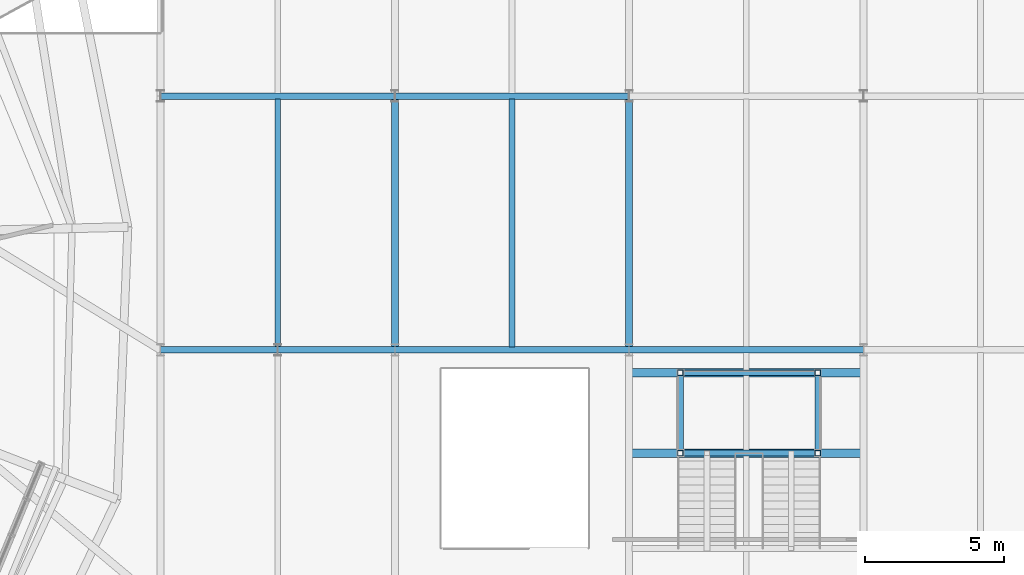
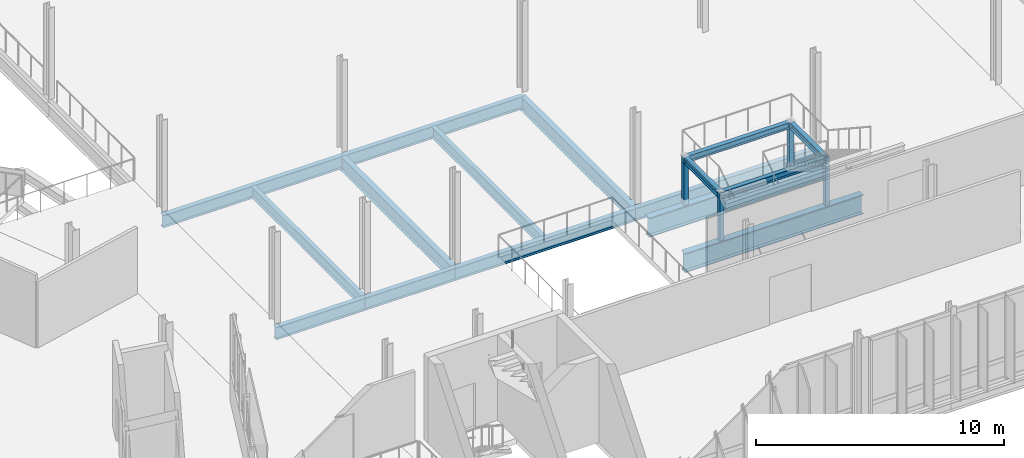
# One storey, part 60 of 139: 16 beams, 4 members.
"""IFC4 building model written with IfcOpenShell, lengths in metres."""

from ifc_helpers import new_model, si_unit, derived_unit, direction, frame, origin, origin_2d, place, context, subcontext, project, spatial, hollow_rectangle, i_section, extrude, material, material_profile, profile_set, type_object, element, save


model = new_model("IFC4")

# Units and contexts
model_context = context("Model", 3, precision=1e-05, world=origin(), true_north=direction((0.0, 1.0)))
body_context = subcontext(model_context, "Body", "Model", "MODEL_VIEW")
ifc_project = project(units=[si_unit("LENGTHUNIT", "METRE"), si_unit("AREAUNIT", "SQUARE_METRE"), si_unit("VOLUMEUNIT", "CUBIC_METRE"), si_unit("PLANEANGLEUNIT", "RADIAN"), si_unit("MASSUNIT", "GRAM", prefix="KILO"), derived_unit("THERMALTRANSMITTANCEUNIT", [(si_unit("MASSUNIT", "GRAM", prefix="KILO"), 1), (si_unit("TIMEUNIT", "SECOND"), -3), (si_unit("THERMODYNAMICTEMPERATUREUNIT", "KELVIN"), -1)])], contexts=[model_context])

# Site, building, storey
site_placement = place(None, origin())
site = spatial("IfcSite", under=ifc_project, at=site_placement, CompositionType="ELEMENT")
building_placement = place(site_placement, origin())
building = spatial("IfcBuilding", under=site, at=building_placement, Name="Makaiwela Harbour Ferry Terminal", CompositionType="ELEMENT")
storey_placement = place(building_placement, frame((0.0, 0.0, 5.10009765625)))
storey = spatial("IfcBuildingStorey", under=building, at=storey_placement, Name="L01", CompositionType="ELEMENT", Elevation=5.10009765625)

# Beams
ifc_material_1 = material(Name="Steel ASTM A992 Grade 50", Category="steel")
ifc_material_profile_1 = material_profile(ifc_material_1, i_section(OverallWidth=0.2099609375, OverallDepth=0.537109375, WebThickness=0.010986328125, FlangeThickness=0.017333984375, at=origin_2d()), Name="W21X68")
ifc_profile_set_1 = profile_set([ifc_material_profile_1], Name="Steel ASTM A992 Grade 50")
beam_type_1 = type_object("IfcBeamType", Name="STR-BM-W21X68", PredefinedType="BEAM", material=ifc_profile_set_1)
for number, where, z_axis, x_axis, name in (
    (1, (67.199951171875, 67.696533203125, -0.548583984375), (0.0, 1.0, 0.0), (-1.0, 0.0, 0.0), "Secondary floor beam 1082"),
    (2, (75.60009765625, 67.696533203125, -0.548583984375), (0.0, 1.0, 0.0), (-1.0, 0.0, 0.0), "Secondary floor beam 1090"),
):
    element("IfcBeam", number, at=place(storey_placement, frame(where, z_axis=z_axis, x_axis=x_axis)), inside=storey, type_object=beam_type_1, Name=name, PredefinedType="BEAM", context=body_context, shape_type="SweptSolid", body=[
        extrude(i_section(OverallWidth=0.2099609375, OverallDepth=0.537109375, WebThickness=0.010986328125, FlangeThickness=0.017333984375, at=origin_2d()), origin(), (0.0, 0.0, 1.0), 8.906982421875),
    ])
ifc_material_profile_2 = material_profile(ifc_material_1, i_section(OverallWidth=0.22900390625, OverallDepth=0.612060546875, WebThickness=0.011962890625, FlangeThickness=0.01953125, at=origin_2d()), Name="W24X84")
ifc_profile_set_2 = profile_set([ifc_material_profile_2], Name="Steel ASTM A992 Grade 50")
beam_type_2 = type_object("IfcBeamType", Name="STR-GRD-W24X84", PredefinedType="USERDEFINED", material=ifc_profile_set_2)
for number, where, z_axis, x_axis, name in (
    (3, (63.0, 67.60009765625, -0.586181640625), (1.0, 0.0, 0.0), (0.0, 1.0, 0.0), "Primary X girder 848"),
    (4, (67.199951171875, 67.60009765625, -0.586181640625), (1.0, 0.0, 0.0), (0.0, 1.0, 0.0), "Primary X girder 849"),
):
    element("IfcBeam", number, at=place(storey_placement, frame(where, z_axis=z_axis, x_axis=x_axis)), inside=storey, type_object=beam_type_2, Name=name, ObjectType="GIRDER", PredefinedType="USERDEFINED", context=body_context, shape_type="SweptSolid", body=[
        extrude(i_section(OverallWidth=0.22900390625, OverallDepth=0.612060546875, WebThickness=0.011962890625, FlangeThickness=0.01953125, at=origin_2d()), origin(), (0.0, 0.0, 1.0), 4.199951171875),
    ])
beam_1_placement = place(storey_placement, frame((71.39990234375, 67.60009765625, -0.586181640625), z_axis=(1.0, 0.0, 0.0), x_axis=(0.0, 1.0, 0.0)))
element("IfcBeam", 5, at=beam_1_placement, inside=storey, type_object=beam_type_2, Name="Primary X girder 850", ObjectType="GIRDER", PredefinedType="USERDEFINED", context=body_context, shape_type="SweptSolid", body=[
    extrude(i_section(OverallWidth=0.22900390625, OverallDepth=0.612060546875, WebThickness=0.011962890625, FlangeThickness=0.01953125, at=origin_2d()), origin(), (0.0, 0.0, 1.0), 8.400146484375),
])
for number, where, z_axis, x_axis, name in (
    (6, (79.800048828125, 67.60009765625, -0.586181640625), (1.0, 0.0, 0.0), (0.0, 1.0, 0.0), "Primary X girder 851"),
    (7, (63.0, 76.699951171875, -0.586181640625), (1.0, 0.0, 0.0), (0.0, 1.0, 0.0), "Primary X girder 867"),
):
    element("IfcBeam", number, at=place(storey_placement, frame(where, z_axis=z_axis, x_axis=x_axis)), inside=storey, type_object=beam_type_2, Name=name, ObjectType="GIRDER", PredefinedType="USERDEFINED", context=body_context, shape_type="SweptSolid", body=[
        extrude(i_section(OverallWidth=0.22900390625, OverallDepth=0.612060546875, WebThickness=0.011962890625, FlangeThickness=0.01953125, at=origin_2d()), origin(), (0.0, 0.0, 1.0), 8.39990234375),
    ])
beam_2_placement = place(storey_placement, frame((71.39990234375, 76.699951171875, -0.586181640625), z_axis=(1.0, 0.0, 0.0), x_axis=(0.0, 1.0, 0.0)))
element("IfcBeam", 8, at=beam_2_placement, inside=storey, type_object=beam_type_2, Name="Primary X girder 868", ObjectType="GIRDER", PredefinedType="USERDEFINED", context=body_context, shape_type="SweptSolid", body=[
    extrude(i_section(OverallWidth=0.22900390625, OverallDepth=0.612060546875, WebThickness=0.011962890625, FlangeThickness=0.01953125, at=origin_2d()), origin(), (0.0, 0.0, 1.0), 8.400146484375),
])
ifc_material_profile_3 = material_profile(ifc_material_1, i_section(OverallWidth=0.256103515625, OverallDepth=0.693115234375, WebThickness=0.014404296875, FlangeThickness=0.023681640625, at=origin_2d()), Name="W27X114")
ifc_profile_set_3 = profile_set([ifc_material_profile_3], Name="Steel ASTM A992 Grade 50")
beam_type_3 = type_object("IfcBeamType", Name="STR-GRD-W27X114", PredefinedType="USERDEFINED", material=ifc_profile_set_3)
for number, where, z_axis, x_axis, name in (
    (9, (71.39990234375, 67.60009765625, -0.626708984375), (0.0, 1.0, 0.0), (-1.0, 0.0, 0.0), "Primary Y girder 942"),
    (10, (79.800048828125, 67.60009765625, -0.626708984375), (0.0, 1.0, 0.0), (-1.0, 0.0, 0.0), "Primary Y girder 952"),
):
    element("IfcBeam", number, at=place(storey_placement, frame(where, z_axis=z_axis, x_axis=x_axis)), inside=storey, type_object=beam_type_3, Name=name, ObjectType="GIRDER", PredefinedType="USERDEFINED", context=body_context, shape_type="SweptSolid", body=[
        extrude(i_section(OverallWidth=0.256103515625, OverallDepth=0.693115234375, WebThickness=0.014404296875, FlangeThickness=0.023681640625, at=origin_2d()), origin(), (0.0, 0.0, 1.0), 9.099853515625),
    ])
ifc_material_profile_4 = material_profile(ifc_material_1, i_section(OverallWidth=0.31005859375, OverallDepth=0.949951171875, WebThickness=0.0244140625, FlangeThickness=0.0439453125, at=origin_2d()), Name="W36X256")
ifc_profile_set_4 = profile_set([ifc_material_profile_4], Name="Steel ASTM A992 Grade 50")
beam_type_4 = type_object("IfcBeamType", Name="STR-GRD-W36X256", PredefinedType="USERDEFINED", material=ifc_profile_set_4)
for number, where, z_axis, x_axis, name in (
    (11, (79.89501953125, 63.89990234375, -0.755126953125), (1.0, 0.0, 0.0), (0.0, 1.0, 0.0), "Stair Transfer Girder ST-09-L01-1"),
    (12, (79.89501953125, 66.780029296875, -0.755126953125), (1.0, 0.0, 0.0), (0.0, 1.0, 0.0), "Stair Transfer Girder ST-09-L01-2"),
):
    element("IfcBeam", number, at=place(storey_placement, frame(where, z_axis=z_axis, x_axis=x_axis)), inside=storey, type_object=beam_type_4, Name=name, ObjectType="GIRDER", PredefinedType="USERDEFINED", context=body_context, shape_type="SweptSolid", body=[
        extrude(i_section(OverallWidth=0.31005859375, OverallDepth=0.949951171875, WebThickness=0.0244140625, FlangeThickness=0.0439453125, at=origin_2d()), origin(), (0.0, 0.0, 1.0), 8.304931640625),
    ])
ifc_material_profile_5 = material_profile(ifc_material_1, i_section(OverallWidth=0.205078125, OverallDepth=0.31005859375, WebThickness=0.009521484375, FlangeThickness=0.016357421875, at=origin_2d()), Name="W12X50")
ifc_profile_set_5 = profile_set([ifc_material_profile_5], Name="Steel ASTM A992 Grade 50")
beam_type_5 = type_object("IfcBeamType", Name="STR-LNT-W12X50", PredefinedType="LINTEL", material=ifc_profile_set_5)
for number, where, z_axis, x_axis, name in (
    (13, (81.639892578125, 63.89990234375, 1.94482421875), (1.0, 0.0, 0.0), (0.0, 1.0, 0.0), "Stair Landing Beam ST-09-L01-1"),
    (14, (81.639892578125, 66.780029296875, 1.94482421875), (1.0, 0.0, 0.0), (0.0, 1.0, 0.0), "Stair Landing Beam ST-09-L01-2"),
):
    element("IfcBeam", number, at=place(storey_placement, frame(where, z_axis=z_axis, x_axis=x_axis)), inside=storey, type_object=beam_type_5, Name=name, PredefinedType="LINTEL", context=body_context, shape_type="SweptSolid", body=[
        extrude(i_section(OverallWidth=0.205078125, OverallDepth=0.31005859375, WebThickness=0.009521484375, FlangeThickness=0.016357421875, at=origin_2d()), origin(), (0.0, 0.0, 1.0), 4.920166015625),
    ])
for number, where, z_axis, x_axis, name in (
    (15, (81.639892578125, 63.89990234375, 1.94482421875), (0.0, 1.0, 0.0), (-1.0, 0.0, 0.0), "Stair Landing Side Beam ST-09-L01-L"),
    (16, (86.56005859375, 63.89990234375, 1.94482421875), (0.0, 1.0, 0.0), (-1.0, 0.0, 0.0), "Stair Landing Side Beam ST-09-L01-R"),
):
    element("IfcBeam", number, at=place(storey_placement, frame(where, z_axis=z_axis, x_axis=x_axis)), inside=storey, type_object=beam_type_5, Name=name, PredefinedType="LINTEL", context=body_context, shape_type="SweptSolid", body=[
        extrude(i_section(OverallWidth=0.205078125, OverallDepth=0.31005859375, WebThickness=0.009521484375, FlangeThickness=0.016357421875, at=origin_2d()), origin(), (0.0, 0.0, 1.0), 2.880126953125),
    ])

# Members
ifc_material_2 = material(Name="Steel ASTM A500 Grade C", Category="steel")
ifc_material_profile_6 = material_profile(ifc_material_2, hollow_rectangle(XDim=0.202880859375, YDim=0.202880859375, WallThickness=0.01171875, at=origin_2d()), Name="HSS8X8X1/2")
ifc_profile_set_6 = profile_set([ifc_material_profile_6], Name="Steel ASTM A500 Grade C")
member_type = type_object("IfcMemberType", Name="STR-PST-HSS8", PredefinedType="POST", material=ifc_profile_set_6)
for number, where, z_axis, x_axis, name in (
    (17, (81.639892578125, 63.89990234375, -0.280029296875), (0.0, 0.0, 1.0), (1.0, 0.0, 0.0), "Stair Landing Post ST-09-L01-P1"),
    (18, (86.56005859375, 63.89990234375, -0.280029296875), (0.0, 0.0, 1.0), (1.0, 0.0, 0.0), "Stair Landing Post ST-09-L01-P2"),
    (19, (81.639892578125, 66.780029296875, -0.280029296875), (0.0, 0.0, 1.0), (1.0, 0.0, 0.0), "Stair Landing Post ST-09-L01-P3"),
    (20, (86.56005859375, 66.780029296875, -0.280029296875), (0.0, 0.0, 1.0), (1.0, 0.0, 0.0), "Stair Landing Post ST-09-L01-P4"),
):
    element("IfcMember", number, at=place(storey_placement, frame(where, z_axis=z_axis, x_axis=x_axis)), inside=storey, type_object=member_type, Name=name, PredefinedType="POST", context=body_context, shape_type="SweptSolid", body=[
        extrude(hollow_rectangle(XDim=0.202880859375, YDim=0.202880859375, WallThickness=0.01171875, at=origin_2d()), origin(), (0.0, 0.0, 1.0), 2.3798828125),
    ])

save(model, "model.ifc")
